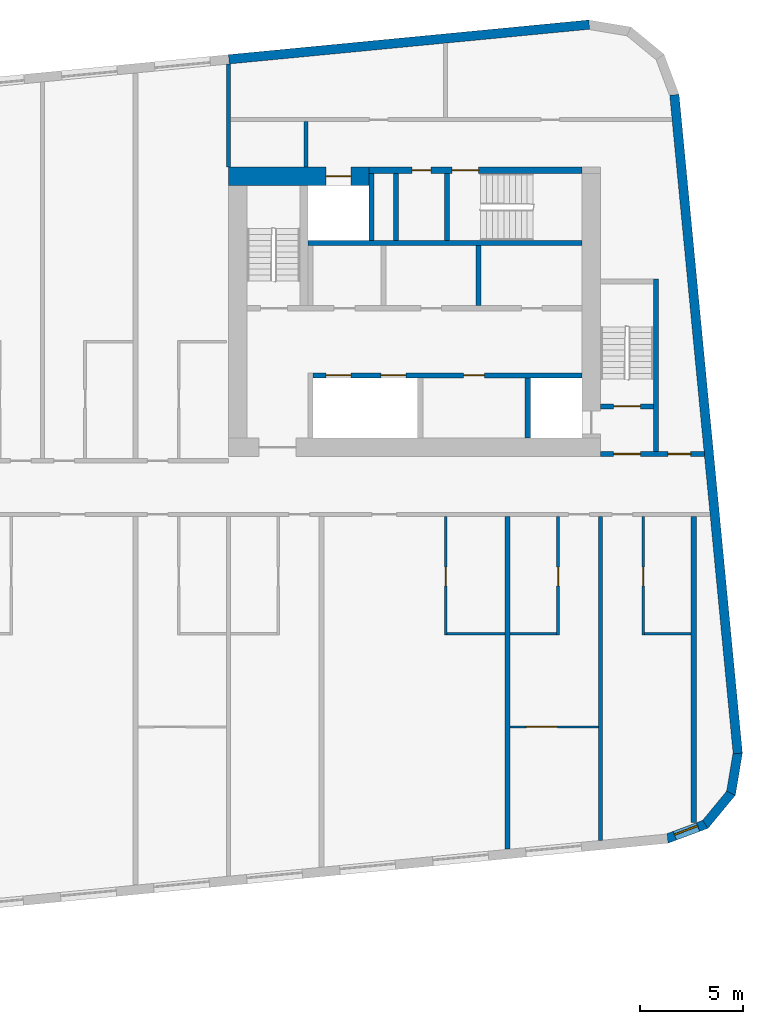
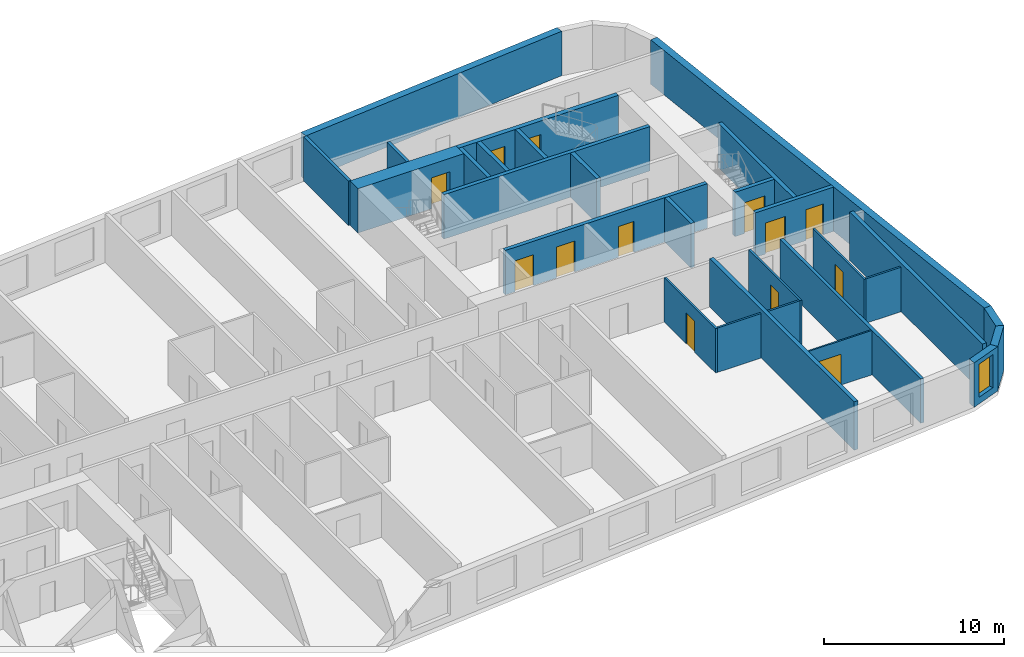
# One storey, part 7 of 12: 29 walls, 13 doors, 1 window, 14 openings.
"""IFC4 building model written with IfcOpenShell, lengths in metres."""

from ifc_helpers import new_model, si_unit, direction, frame, frame_2d, origin, place, context, subcontext, project, spatial, polyline, rectangle, outline, extrude, material, layer, layer_set, type_object, element, fill, save


model = new_model("IFC4")

# Units and contexts
model_context = context("Model", 3, precision=1e-05, world=origin(), true_north=direction((0.0, 1.0)))
body_context = subcontext(model_context, "Body", "Model", "MODEL_VIEW")
ifc_project = project(units=[si_unit("LENGTHUNIT", "METRE"), si_unit("AREAUNIT", "SQUARE_METRE"), si_unit("VOLUMEUNIT", "CUBIC_METRE"), si_unit("PLANEANGLEUNIT", "RADIAN"), si_unit("MASSUNIT", "GRAM", prefix="KILO")], contexts=[model_context])

# Site, building, storey
site_placement = place(None, origin())
site = spatial("IfcSite", under=ifc_project, at=site_placement, CompositionType="ELEMENT")
building_placement = place(site_placement, origin())
building = spatial("IfcBuilding", under=site, at=building_placement, Name="Kajstack Hotel Tower", CompositionType="ELEMENT")
storey_placement = place(building_placement, frame((0.0, 0.0, 294.89990234375)))
storey = spatial("IfcBuildingStorey", under=building, at=storey_placement, Name="L74", CompositionType="ELEMENT", Elevation=294.89990234375)

# Wall, opening, door
ifc_material_1 = material(Name="Concrete C60/75", Category="concrete")
ifc_layer_1 = layer(ifc_material_1, 0.89990234375)
ifc_layer_set_1 = layer_set([ifc_layer_1], Name="Core wall 900")
wall_type_1 = type_object("IfcWallType", Name="Core wall 900", PredefinedType="SHEAR", material=ifc_layer_set_1)
wall_1_placement = place(storey_placement, frame((13.5, 15.050048828125, 0.0), z_axis=(0.0, 0.0, 1.0), x_axis=(1.0, 0.0, 0.0)))
wall_1 = element("IfcWall", 1, at=wall_1_placement, inside=storey, type_object=wall_type_1, Name="Core wall E RS", PredefinedType="SHEAR", context=body_context, shape_type="SweptSolid", body=[
    extrude(rectangle(XDim=6.800048828125, YDim=0.89990234375, at=frame_2d((3.39990234375, 0.0))), origin(), (0.0, 0.0, 1.0), 3.02001953125),
])
opening_1_placement = place(wall_1_placement, frame((4.72509765625, 0.0, 0.0)))
opening_1 = element("IfcOpeningElement", 2, at=opening_1_placement, cuts=wall_1, Name="Opening LD-SV2", PredefinedType="OPENING", context=body_context, shape_type="SweptSolid", body=[
    extrude(rectangle(XDim=1.199951171875, YDim=2.10009765625, at=frame_2d((0.60009765625, 1.050048828125))), frame((0.0, 0.4599609375, 0.0), z_axis=(0.0, -1.0, 0.0), x_axis=(1.0, 0.0, 0.0)), (0.0, 0.0, 1.0), 0.919921875),
])
ifc_material_2 = material(Name="Stainless steel", Category="steel")
door_type_1 = type_object("IfcDoorType", Name="Lift landing door 1200", OperationType="SLIDING_TO_LEFT", PredefinedType="DOOR", material=ifc_material_2)
door_1_placement = place(opening_1_placement, origin())
door_1 = element("IfcDoor", 3, at=door_1_placement, inside=storey, type_object=door_type_1, Name="Landing door SV2", OperationType="SLIDING_TO_LEFT", OverallHeight=2.10009765625, OverallWidth=1.199951171875, PredefinedType="DOOR", context=body_context, shape_type="SweptSolid", body=[
    extrude(rectangle(XDim=1.199951171875, YDim=2.10009765625, at=frame_2d((0.60009765625, 1.050048828125))), frame((0.0, 0.02490234375, 0.0), z_axis=(0.0, -1.0, 0.0), x_axis=(1.0, 0.0, 0.0)), (0.0, 0.0, 1.0), 0.050048828125),
])
fill(opening_1, door_1)

# Walls
ifc_material_3 = material(Name="Twin-frame gypsum board on steel studs, mineral wool", Category="steel")
ifc_layer_2 = layer(ifc_material_3, 0.199951171875)
ifc_layer_set_2 = layer_set([ifc_layer_2], Name="Demising wall 200")
wall_type_2 = type_object("IfcWallType", Name="Demising wall 200", PredefinedType="PARTITIONING", material=ifc_layer_set_2)
wall_2_placement = place(storey_placement, frame((13.5, 15.5, 0.0), z_axis=(0.0, 0.0, 1.0), x_axis=(0.0, 1.0, 0.0)))
element("IfcWall", 4, at=wall_2_placement, inside=storey, type_object=wall_type_2, Name="G-wall-L74-001", PredefinedType="PARTITIONING", context=body_context, shape_type="SweptSolid", body=[
    extrude(rectangle(XDim=4.985107421875, YDim=0.199951171875, at=frame_2d((2.49267578125, 0.0))), origin(), (0.0, 0.0, 1.0), 3.02001953125),
])
wall_3_placement = place(storey_placement, frame((31.5, -17.06298828125, 0.0), z_axis=(0.0, 0.0, 1.0), x_axis=(0.0, 1.0, 0.0)))
element("IfcWall", 5, at=wall_3_placement, inside=storey, type_object=wall_type_2, Name="G-wall-L74-049", PredefinedType="PARTITIONING", context=body_context, shape_type="SweptSolid", body=[
    extrude(rectangle(XDim=15.6630859375, YDim=0.199951171875, at=frame_2d((7.83154296875, 0.0))), origin(), (0.0, 0.0, 1.0), 3.02001953125),
])
ifc_material_4 = material(Name="Concrete C40/50", Category="concrete")
ifc_layer_3 = layer(ifc_material_4, 0.449951171875)
ifc_layer_set_3 = layer_set([ifc_layer_3], Name="EW-CORE")
wall_type_3 = type_object("IfcWallType", Name="EW-CORE", PredefinedType="SOLIDWALL", material=ifc_layer_set_3)
wall_4_placement = place(storey_placement, frame((30.94580078125, 22.390625, 0.0), z_axis=(0.0, 0.0, 1.0), x_axis=(-0.995396397117, -0.095843688398, 0.0)))
element("IfcWall", 6, at=wall_4_placement, inside=storey, type_object=wall_type_3, Name="E-wall-L74-12-00", PredefinedType="SOLIDWALL", context=body_context, shape_type="SweptSolid", body=[
    extrude(rectangle(XDim=17.5048828125, YDim=0.449951171875, at=frame_2d((8.75244140625, 0.0))), origin(), (0.0, 0.0, 1.0), 3.02001953125),
])

# Wall, opening, window
ifc_material_5 = material(Name="Terracotta-faced brick masonry", Category="masonry")
ifc_layer_4 = layer(ifc_material_5, 0.449951171875)
ifc_layer_set_4 = layer_set([ifc_layer_4], Name="EW-TERRA")
wall_type_4 = type_object("IfcWallType", Name="EW-TERRA", PredefinedType="SOLIDWALL", material=ifc_layer_set_4)
wall_5_placement = place(storey_placement, frame((34.67919921875, -16.990478515625, 0.0), z_axis=(0.0, 0.0, 1.0), x_axis=(0.936677599948, 0.350192909346, 0.0)))
wall_5 = element("IfcWall", 7, at=wall_5_placement, inside=storey, type_object=wall_type_4, Name="E-wall-L74-05-00", PredefinedType="SOLIDWALL", context=body_context, shape_type="SweptSolid", body=[
    extrude(outline(polyline([(0.0, -0.22509765625), (2.070556640625, -0.22509765625), (1.949951171875, 0.22509765625), (0.12060546875, 0.22509765625), (0.0, -0.22509765625)])), origin(), (0.0, 0.0, 1.0), 3.02001953125),
])
opening_2_placement = place(wall_5_placement, frame((0.435302734375, 0.0, 0.449951171875)))
opening_2 = element("IfcOpeningElement", 8, at=opening_2_placement, cuts=wall_5, Name="Opening W3", PredefinedType="OPENING", context=body_context, shape_type="SweptSolid", body=[
    extrude(rectangle(XDim=1.199951171875, YDim=2.25, at=frame_2d((0.60009765625, 1.125))), frame((0.0, 0.23486328125, 0.0), z_axis=(0.0, -1.0, 0.0), x_axis=(1.0, 0.0, 0.0)), (0.0, 0.0, 1.0), 0.469970703125),
])
ifc_material_6 = material(Name="Timber-aluminium window, triple glazed", Category="wood")
window_type = type_object("IfcWindowType", Name="WG3", PartitioningType="SINGLE_PANEL", PredefinedType="WINDOW", material=ifc_material_6)
window_placement = place(opening_2_placement, origin())
window = element("IfcWindow", 9, at=window_placement, inside=storey, type_object=window_type, Name="Window W3 L74-05", OverallHeight=2.25, OverallWidth=1.199951171875, PartitioningType="SINGLE_PANEL", PredefinedType="WINDOW", context=body_context, shape_type="SweptSolid", body=[
    extrude(rectangle(XDim=1.199951171875, YDim=2.25, at=frame_2d((0.60009765625, 1.125))), frame((0.0, 0.090087890625, 0.0), z_axis=(0.0, -1.0, 0.0), x_axis=(1.0, 0.0, 0.0)), (0.0, 0.0, 1.0), 0.06005859375),
])
fill(opening_2, window)

# Walls
wall_6_placement = place(storey_placement, frame((36.52392578125, -16.3330078125, 0.0), z_axis=(0.0, 0.0, 1.0), x_axis=(0.636046112757, 0.771651049663, 0.0)))
element("IfcWall", 10, at=wall_6_placement, inside=storey, type_object=wall_type_4, Name="E-wall-L74-06-00", PredefinedType="SOLIDWALL", context=body_context, shape_type="SweptSolid", body=[
    extrude(outline(polyline([(0.0, -0.224853515625), (2.070556640625, -0.22509765625), (1.949951171875, 0.22509765625), (0.12060546875, 0.22509765625), (0.0, -0.224853515625)])), origin(), (0.0, 0.0, 1.0), 3.02001953125),
])
wall_7_placement = place(storey_placement, frame((37.79248046875, -14.84130859375, 0.0), z_axis=(0.0, 0.0, 1.0), x_axis=(0.165068144653, 0.986282164302, 0.0)))
element("IfcWall", 11, at=wall_7_placement, inside=storey, type_object=wall_type_4, Name="E-wall-L74-07-00", PredefinedType="SOLIDWALL", context=body_context, shape_type="SweptSolid", body=[
    extrude(outline(polyline([(0.0, -0.22509765625), (2.070556640625, -0.22509765625), (1.949951171875, 0.224853515625), (0.12060546875, 0.224853515625), (0.0, -0.22509765625)])), origin(), (0.0, 0.0, 1.0), 3.02001953125),
])
wall_8_placement = place(storey_placement, frame((38.13232421875, -12.85791015625, 0.0), z_axis=(0.0, 0.0, 1.0), x_axis=(-0.095847749461, 0.995396006082, 0.0)))
element("IfcWall", 12, at=wall_8_placement, inside=storey, type_object=wall_type_4, Name="E-wall-L74-08-00", PredefinedType="SOLIDWALL", context=body_context, shape_type="SweptSolid", body=[
    extrude(rectangle(XDim=32.0, YDim=0.449951171875, at=frame_2d((16.0, 0.0))), origin(), (0.0, 0.0, 1.0), 3.02001953125),
])

# Wall, opening, door
ifc_material_7 = material(Name="Gypsum board and tiled backer on steel studs", Category="steel")
ifc_layer_5 = layer(ifc_material_7, 0.125)
ifc_layer_set_5 = layer_set([ifc_layer_5], Name="En-suite wall 125")
wall_type_5 = type_object("IfcWallType", Name="En-suite wall 125", PredefinedType="PARTITIONING", material=ifc_layer_set_5)
wall_9_placement = place(storey_placement, frame((24.011962890625, -7.125, 0.0), z_axis=(0.0, 0.0, 1.0), x_axis=(0.0, 1.0, 0.0)))
wall_9 = element("IfcWall", 13, at=wall_9_placement, inside=storey, type_object=wall_type_5, Name="G-wall-L74-047", PredefinedType="PARTITIONING", context=body_context, shape_type="SweptSolid", body=[
    extrude(rectangle(XDim=5.72509765625, YDim=0.125, at=frame_2d((2.862548828125, 0.0))), origin(), (0.0, 0.0, 1.0), 3.02001953125),
])
opening_3_placement = place(wall_9_placement, frame((2.375, 0.0, 0.0)))
opening_3 = element("IfcOpeningElement", 14, at=opening_3_placement, cuts=wall_9, Name="Opening 74039", PredefinedType="OPENING", context=body_context, shape_type="SweptSolid", body=[
    extrude(rectangle(XDim=0.89990234375, YDim=2.10009765625, at=frame_2d((0.449951171875, 1.050048828125))), frame((0.0, 0.072509765625, 0.0), z_axis=(0.0, -1.0, 0.0), x_axis=(1.0, 0.0, 0.0)), (0.0, 0.0, 1.0), 0.14501953125),
])
ifc_material_8 = material(Name="Painted timber door leaf", Category="wood")
door_type_2 = type_object("IfcDoorType", Name="Room door 900", OperationType="SINGLE_SWING_LEFT", PredefinedType="DOOR", material=ifc_material_8)
door_2_placement = place(opening_3_placement, origin())
door_2 = element("IfcDoor", 15, at=door_2_placement, inside=storey, type_object=door_type_2, Name="G-door-L74-39", OperationType="SINGLE_SWING_LEFT", OverallHeight=2.10009765625, OverallWidth=0.89990234375, PredefinedType="DOOR", context=body_context, shape_type="SweptSolid", body=[
    extrude(rectangle(XDim=0.89990234375, YDim=2.10009765625, at=frame_2d((0.449951171875, 1.050048828125))), frame((0.0, 0.02490234375, 0.0), z_axis=(0.0, -1.0, 0.0), x_axis=(1.0, 0.0, 0.0)), (0.0, 0.0, 1.0), 0.050048828125),
])
fill(opening_3, door_2)

# Wall
wall_10_placement = place(storey_placement, frame((24.074951171875, -7.06201171875, 0.0), z_axis=(0.0, 0.0, 1.0), x_axis=(1.0, 0.0, 0.0)))
element("IfcWall", 16, at=wall_10_placement, inside=storey, type_object=wall_type_5, Name="G-wall-L74-048", PredefinedType="PARTITIONING", context=body_context, shape_type="SweptSolid", body=[
    extrude(rectangle(XDim=2.800048828125, YDim=0.125, at=frame_2d((1.39990234375, 0.0))), origin(), (0.0, 0.0, 1.0), 3.02001953125),
])

# Wall, opening, door
wall_11_placement = place(storey_placement, frame((29.43798828125, -7.125, 0.0), z_axis=(0.0, 0.0, 1.0), x_axis=(0.0, 1.0, 0.0)))
wall_11 = element("IfcWall", 17, at=wall_11_placement, inside=storey, type_object=wall_type_5, Name="G-wall-L74-050", PredefinedType="PARTITIONING", context=body_context, shape_type="SweptSolid", body=[
    extrude(rectangle(XDim=5.72509765625, YDim=0.125, at=frame_2d((2.862548828125, 0.0))), origin(), (0.0, 0.0, 1.0), 3.02001953125),
])
opening_4_placement = place(wall_11_placement, frame((2.375, 0.0, 0.0)))
opening_4 = element("IfcOpeningElement", 18, at=opening_4_placement, cuts=wall_11, Name="Opening 74041", PredefinedType="OPENING", context=body_context, shape_type="SweptSolid", body=[
    extrude(rectangle(XDim=0.89990234375, YDim=2.10009765625, at=frame_2d((0.449951171875, 1.050048828125))), frame((0.0, 0.072509765625, 0.0), z_axis=(0.0, -1.0, 0.0), x_axis=(1.0, 0.0, 0.0)), (0.0, 0.0, 1.0), 0.14501953125),
])
door_3_placement = place(opening_4_placement, origin())
door_3 = element("IfcDoor", 19, at=door_3_placement, inside=storey, type_object=door_type_2, Name="G-door-L74-41", OperationType="SINGLE_SWING_LEFT", OverallHeight=2.10009765625, OverallWidth=0.89990234375, PredefinedType="DOOR", context=body_context, shape_type="SweptSolid", body=[
    extrude(rectangle(XDim=0.89990234375, YDim=2.10009765625, at=frame_2d((0.449951171875, 1.050048828125))), frame((0.0, 0.02490234375, 0.0), z_axis=(0.0, -1.0, 0.0), x_axis=(1.0, 0.0, 0.0)), (0.0, 0.0, 1.0), 0.050048828125),
])
fill(opening_4, door_3)

# Wall
wall_12_placement = place(storey_placement, frame((27.125, -7.06201171875, 0.0), z_axis=(0.0, 0.0, 1.0), x_axis=(1.0, 0.0, 0.0)))
element("IfcWall", 20, at=wall_12_placement, inside=storey, type_object=wall_type_5, Name="G-wall-L74-051", PredefinedType="PARTITIONING", context=body_context, shape_type="SweptSolid", body=[
    extrude(rectangle(XDim=2.25, YDim=0.125, at=frame_2d((1.125, 0.0))), origin(), (0.0, 0.0, 1.0), 3.02001953125),
])

# Wall, opening, door
wall_13_placement = place(storey_placement, frame((33.56201171875, -7.125, 0.0), z_axis=(0.0, 0.0, 1.0), x_axis=(0.0, 1.0, 0.0)))
wall_13 = element("IfcWall", 21, at=wall_13_placement, inside=storey, type_object=wall_type_5, Name="G-wall-L74-053", PredefinedType="PARTITIONING", context=body_context, shape_type="SweptSolid", body=[
    extrude(rectangle(XDim=5.72509765625, YDim=0.125, at=frame_2d((2.862548828125, 0.0))), origin(), (0.0, 0.0, 1.0), 3.02001953125),
])
opening_5_placement = place(wall_13_placement, frame((2.375, 0.0, 0.0)))
opening_5 = element("IfcOpeningElement", 22, at=opening_5_placement, cuts=wall_13, Name="Opening 74044", PredefinedType="OPENING", context=body_context, shape_type="SweptSolid", body=[
    extrude(rectangle(XDim=0.89990234375, YDim=2.10009765625, at=frame_2d((0.449951171875, 1.050048828125))), frame((0.0, 0.072509765625, 0.0), z_axis=(0.0, -1.0, 0.0), x_axis=(1.0, 0.0, 0.0)), (0.0, 0.0, 1.0), 0.14501953125),
])
door_4_placement = place(opening_5_placement, origin())
door_4 = element("IfcDoor", 23, at=door_4_placement, inside=storey, type_object=door_type_2, Name="G-door-L74-44", OperationType="SINGLE_SWING_RIGHT", OverallHeight=2.10009765625, OverallWidth=0.89990234375, PredefinedType="DOOR", context=body_context, shape_type="SweptSolid", body=[
    extrude(rectangle(XDim=0.89990234375, YDim=2.10009765625, at=frame_2d((0.449951171875, 1.050048828125))), frame((0.0, 0.02490234375, 0.0), z_axis=(0.0, -1.0, 0.0), x_axis=(1.0, 0.0, 0.0)), (0.0, 0.0, 1.0), 0.050048828125),
])
fill(opening_5, door_4)

# Wall
wall_14_placement = place(storey_placement, frame((33.625, -7.06201171875, 0.0), z_axis=(0.0, 0.0, 1.0), x_axis=(1.0, 0.0, 0.0)))
element("IfcWall", 24, at=wall_14_placement, inside=storey, type_object=wall_type_5, Name="G-wall-L74-054", PredefinedType="PARTITIONING", context=body_context, shape_type="SweptSolid", body=[
    extrude(rectangle(XDim=2.25, YDim=0.125, at=frame_2d((1.125, 0.0))), origin(), (0.0, 0.0, 1.0), 3.02001953125),
])

# Wall, opening, door
ifc_material_9 = material(Name="Gypsum board on steel studs", Category="steel")
ifc_layer_6 = layer(ifc_material_9, 0.10009765625)
ifc_layer_set_6 = layer_set([ifc_layer_6], Name="Partition 100")
wall_type_6 = type_object("IfcWallType", Name="Partition 100", PredefinedType="PARTITIONING", material=ifc_layer_set_6)
wall_15_placement = place(storey_placement, frame((27.125, -11.574951171875, 0.0), z_axis=(0.0, 0.0, 1.0), x_axis=(1.0, 0.0, 0.0)))
wall_15 = element("IfcWall", 25, at=wall_15_placement, inside=storey, type_object=wall_type_6, Name="G-wall-L74-052", PredefinedType="PARTITIONING", context=body_context, shape_type="SweptSolid", body=[
    extrude(rectangle(XDim=4.27490234375, YDim=0.10009765625, at=frame_2d((2.137451171875, 0.0))), origin(), (0.0, 0.0, 1.0), 3.02001953125),
])
opening_6_placement = place(wall_15_placement, frame((0.787109375, 0.0, 0.0)))
opening_6 = element("IfcOpeningElement", 26, at=opening_6_placement, cuts=wall_15, Name="Opening 74042", PredefinedType="OPENING", context=body_context, shape_type="SweptSolid", body=[
    extrude(rectangle(XDim=1.5, YDim=2.10009765625, at=frame_2d((0.75, 1.050048828125))), frame((0.0, 0.06005859375, 0.0), z_axis=(0.0, -1.0, 0.0), x_axis=(1.0, 0.0, 0.0)), (0.0, 0.0, 1.0), 0.1201171875),
])
ifc_material_10 = material(Name="Painted timber door leaves, glazed panels", Category="wood")
door_type_3 = type_object("IfcDoorType", Name="Double door 1500", OperationType="SINGLE_SWING_LEFT", PredefinedType="DOOR", material=ifc_material_10)
door_5_placement = place(opening_6_placement, origin())
door_5 = element("IfcDoor", 27, at=door_5_placement, inside=storey, type_object=door_type_3, Name="G-door-L74-42", OperationType="SINGLE_SWING_RIGHT", OverallHeight=2.10009765625, OverallWidth=1.5, PredefinedType="DOOR", context=body_context, shape_type="SweptSolid", body=[
    extrude(rectangle(XDim=1.5, YDim=2.10009765625, at=frame_2d((0.75, 1.050048828125))), frame((0.0, 0.02490234375, 0.0), z_axis=(0.0, -1.0, 0.0), x_axis=(1.0, 0.0, 0.0)), (0.0, 0.0, 1.0), 0.050048828125),
])
fill(opening_6, door_5)

# Walls
ifc_layer_7 = layer(ifc_material_4, 0.25)
ifc_layer_set_7 = layer_set([ifc_layer_7], Name="RC cross wall 250 C40/50")
wall_type_7 = type_object("IfcWallType", Name="RC cross wall 250 C40/50", PredefinedType="SHEAR", material=ifc_layer_set_7)
wall_16_placement = place(storey_placement, frame((27.0, -17.47412109375, 0.0), z_axis=(0.0, 0.0, 1.0), x_axis=(0.0, 1.0, 0.0)))
element("IfcWall", 28, at=wall_16_placement, inside=storey, type_object=wall_type_7, Name="S-wall-L74-11", PredefinedType="SHEAR", context=body_context, shape_type="SweptSolid", body=[
    extrude(rectangle(XDim=16.07421875, YDim=0.25, at=frame_2d((8.037109375, 0.0))), origin(), (0.0, 0.0, 1.0), 3.300048828125),
])
wall_17_placement = place(storey_placement, frame((36.0, -16.198974609375, 0.0), z_axis=(0.0, 0.0, 1.0), x_axis=(0.0, 1.0, 0.0)))
element("IfcWall", 29, at=wall_17_placement, inside=storey, type_object=wall_type_7, Name="S-wall-L74-12", PredefinedType="SHEAR", context=body_context, shape_type="SweptSolid", body=[
    extrude(rectangle(XDim=14.799072265625, YDim=0.25, at=frame_2d((7.3994140625, 0.0))), origin(), (0.0, 0.0, 1.0), 3.300048828125),
])
ifc_material_11 = material(Name="Concrete block masonry", Category="masonry")
ifc_layer_8 = layer(ifc_material_11, 0.25)
ifc_layer_set_8 = layer_set([ifc_layer_8], Name="Riser partition 250")
wall_type_8 = type_object("IfcWallType", Name="Riser partition 250", PredefinedType="PARTITIONING", material=ifc_layer_set_8)
wall_18_placement = place(storey_placement, frame((25.60009765625, 8.800048828125, 0.0), z_axis=(0.0, 0.0, 1.0), x_axis=(0.0, 1.0, 0.0)))
element("IfcWall", 30, at=wall_18_placement, inside=storey, type_object=wall_type_8, Name="Partition E BF0", PredefinedType="PARTITIONING", context=body_context, shape_type="SweptSolid", body=[
    extrude(rectangle(XDim=2.89990234375, YDim=0.25, at=frame_2d((1.449951171875, 0.0))), origin(), (0.0, 0.0, 1.0), 3.02001953125),
])
wall_19_placement = place(storey_placement, frame((21.60009765625, 11.949951171875, 0.0), z_axis=(0.0, 0.0, 1.0), x_axis=(0.0, 1.0, 0.0)))
element("IfcWall", 31, at=wall_19_placement, inside=storey, type_object=wall_type_8, Name="Partition E SZ0", PredefinedType="PARTITIONING", context=body_context, shape_type="SweptSolid", body=[
    extrude(rectangle(XDim=3.25, YDim=0.25, at=frame_2d((1.625, 0.0))), origin(), (0.0, 0.0, 1.0), 3.02001953125),
])

# Wall, openings, doors
ifc_material_12 = material(Name="Gypsum board on steel studs, mineral wool", Category="steel")
ifc_layer_9 = layer(ifc_material_12, 0.199951171875)
ifc_layer_set_9 = layer_set([ifc_layer_9], Name="Service partition 200")
wall_type_9 = type_object("IfcWallType", Name="Service partition 200", PredefinedType="PARTITIONING", material=ifc_layer_set_9)
wall_20_placement = place(storey_placement, frame((31.5, 1.625, 0.0), z_axis=(0.0, 0.0, 1.0), x_axis=(1.0, 0.0, 0.0)))
wall_20 = element("IfcWall", 32, at=wall_20_placement, inside=storey, type_object=wall_type_9, Name="Partition E SN", PredefinedType="PARTITIONING", context=body_context, shape_type="SweptSolid", body=[
    extrude(rectangle(XDim=5.01171875, YDim=0.25, at=frame_2d((2.505859375, 0.0))), origin(), (0.0, 0.0, 1.0), 3.02001953125),
])
opening_7_placement = place(wall_20_placement, frame((0.625, 0.0, 0.0)))
opening_7 = element("IfcOpeningElement", 33, at=opening_7_placement, cuts=wall_20, Name="Opening 74E06", PredefinedType="OPENING", context=body_context, shape_type="SweptSolid", body=[
    extrude(rectangle(XDim=1.300048828125, YDim=2.10009765625, at=frame_2d((0.64990234375, 1.050048828125))), frame((0.0, 0.135009765625, 0.0), z_axis=(0.0, -1.0, 0.0), x_axis=(1.0, 0.0, 0.0)), (0.0, 0.0, 1.0), 0.27001953125),
])
opening_8_placement = place(wall_20_placement, frame((3.25, 0.0, 0.0)))
opening_8 = element("IfcOpeningElement", 34, at=opening_8_placement, cuts=wall_20, Name="Opening 74E08", PredefinedType="OPENING", context=body_context, shape_type="SweptSolid", body=[
    extrude(rectangle(XDim=1.10009765625, YDim=2.10009765625, at=frame_2d((0.550048828125, 1.050048828125))), frame((0.0, 0.135009765625, 0.0), z_axis=(0.0, -1.0, 0.0), x_axis=(1.0, 0.0, 0.0)), (0.0, 0.0, 1.0), 0.27001953125),
])
ifc_material_13 = material(Name="Steel leaf, fire-rated", Category="steel")
door_type_4 = type_object("IfcDoorType", Name="Fire lobby door 1300", OperationType="SINGLE_SWING_LEFT", PredefinedType="DOOR", material=ifc_material_13)
door_6_placement = place(opening_7_placement, origin())
door_6 = element("IfcDoor", 35, at=door_6_placement, inside=storey, type_object=door_type_4, Name="Door 74E06", OperationType="SINGLE_SWING_LEFT", OverallHeight=2.10009765625, OverallWidth=1.300048828125, PredefinedType="DOOR", context=body_context, shape_type="SweptSolid", body=[
    extrude(rectangle(XDim=1.300048828125, YDim=2.10009765625, at=frame_2d((0.64990234375, 1.050048828125))), frame((0.0, 0.02490234375, 0.0), z_axis=(0.0, -1.0, 0.0), x_axis=(1.0, 0.0, 0.0)), (0.0, 0.0, 1.0), 0.050048828125),
])
fill(opening_7, door_6)
ifc_material_14 = material(Name="Timber leaf, fire-rated", Category="wood")
door_type_5 = type_object("IfcDoorType", Name="Service corridor door 1100", OperationType="SINGLE_SWING_LEFT", PredefinedType="DOOR", material=ifc_material_14)
door_7_placement = place(opening_8_placement, origin())
door_7 = element("IfcDoor", 36, at=door_7_placement, inside=storey, type_object=door_type_5, Name="Door 74E08", OperationType="SINGLE_SWING_LEFT", OverallHeight=2.10009765625, OverallWidth=1.10009765625, PredefinedType="DOOR", context=body_context, shape_type="SweptSolid", body=[
    extrude(rectangle(XDim=1.10009765625, YDim=2.10009765625, at=frame_2d((0.550048828125, 1.050048828125))), frame((0.0, 0.02490234375, 0.0), z_axis=(0.0, -1.0, 0.0), x_axis=(1.0, 0.0, 0.0)), (0.0, 0.0, 1.0), 0.050048828125),
])
fill(opening_8, door_7)

# Wall
wall_21_placement = place(storey_placement, frame((17.25, 15.5, 0.0), z_axis=(0.0, 0.0, 1.0), x_axis=(0.0, 1.0, 0.0)))
element("IfcWall", 37, at=wall_21_placement, inside=storey, type_object=wall_type_9, Name="Partition E SCE", PredefinedType="PARTITIONING", context=body_context, shape_type="SweptSolid", body=[
    extrude(rectangle(XDim=2.199951171875, YDim=0.199951171875, at=frame_2d((1.10009765625, 0.0))), origin(), (0.0, 0.0, 1.0), 3.02001953125),
])

# Wall, openings, doors
ifc_material_15 = material(Name="Concrete C50/60", Category="concrete")
ifc_layer_10 = layer(ifc_material_15, 0.25)
ifc_layer_set_10 = layer_set([ifc_layer_10], Name="Shaft wall 250")
wall_type_10 = type_object("IfcWallType", Name="Shaft wall 250", PredefinedType="SHEAR", material=ifc_layer_set_10)
wall_22_placement = place(storey_placement, frame((20.300048828125, 15.35009765625, 0.0), z_axis=(0.0, 0.0, 1.0), x_axis=(1.0, 0.0, 0.0)))
wall_22 = element("IfcWall", 38, at=wall_22_placement, inside=storey, type_object=wall_type_10, Name="Core wall E RSS", PredefinedType="SHEAR", context=body_context, shape_type="SweptSolid", body=[
    extrude(rectangle(XDim=10.300048828125, YDim=0.300048828125, at=frame_2d((5.14990234375, 0.0))), origin(), (0.0, 0.0, 1.0), 3.02001953125),
])
opening_9_placement = place(wall_22_placement, frame((4.0, 0.0, 0.0)))
opening_9 = element("IfcOpeningElement", 39, at=opening_9_placement, cuts=wall_22, Name="Opening 74E10", PredefinedType="OPENING", context=body_context, shape_type="SweptSolid", body=[
    extrude(rectangle(XDim=1.300048828125, YDim=2.10009765625, at=frame_2d((0.64990234375, 1.050048828125))), frame((0.0, 0.159912109375, 0.0), z_axis=(0.0, -1.0, 0.0), x_axis=(1.0, 0.0, 0.0)), (0.0, 0.0, 1.0), 0.320068359375),
])
opening_10_placement = place(wall_22_placement, frame((2.08740234375, 0.0, 0.0)))
opening_10 = element("IfcOpeningElement", 40, at=opening_10_placement, cuts=wall_22, Name="Opening 74E11", PredefinedType="OPENING", context=body_context, shape_type="SweptSolid", body=[
    extrude(rectangle(XDim=0.89990234375, YDim=2.10009765625, at=frame_2d((0.449951171875, 1.050048828125))), frame((0.0, 0.159912109375, 0.0), z_axis=(0.0, -1.0, 0.0), x_axis=(1.0, 0.0, 0.0)), (0.0, 0.0, 1.0), 0.320068359375),
])
door_type_6 = type_object("IfcDoorType", Name="Service door 900", OperationType="SINGLE_SWING_LEFT", PredefinedType="DOOR", material=ifc_material_14)
door_8_placement = place(opening_10_placement, origin())
door_8 = element("IfcDoor", 41, at=door_8_placement, inside=storey, type_object=door_type_6, Name="Door 74E11", OperationType="SINGLE_SWING_RIGHT", OverallHeight=2.10009765625, OverallWidth=0.89990234375, PredefinedType="DOOR", context=body_context, shape_type="SweptSolid", body=[
    extrude(rectangle(XDim=0.89990234375, YDim=2.10009765625, at=frame_2d((0.449951171875, 1.050048828125))), frame((0.0, 0.02490234375, 0.0), z_axis=(0.0, -1.0, 0.0), x_axis=(1.0, 0.0, 0.0)), (0.0, 0.0, 1.0), 0.050048828125),
])
fill(opening_10, door_8)
door_type_7 = type_object("IfcDoorType", Name="Stair door 1300", OperationType="SINGLE_SWING_LEFT", PredefinedType="DOOR", material=ifc_material_13)
door_9_placement = place(opening_9_placement, origin())
door_9 = element("IfcDoor", 42, at=door_9_placement, inside=storey, type_object=door_type_7, Name="Door 74E10", OperationType="SINGLE_SWING_LEFT", OverallHeight=2.10009765625, OverallWidth=1.300048828125, PredefinedType="DOOR", context=body_context, shape_type="SweptSolid", body=[
    extrude(rectangle(XDim=1.300048828125, YDim=2.10009765625, at=frame_2d((0.64990234375, 1.050048828125))), frame((0.0, 0.02490234375, 0.0), z_axis=(0.0, -1.0, 0.0), x_axis=(1.0, 0.0, 0.0)), (0.0, 0.0, 1.0), 0.050048828125),
])
fill(opening_9, door_9)

wall_23_placement = place(storey_placement, frame((17.60009765625, 5.425048828125, 0.0), z_axis=(0.0, 0.0, 1.0), x_axis=(1.0, 0.0, 0.0)))
wall_23 = element("IfcWall", 43, at=wall_23_placement, inside=storey, type_object=wall_type_10, Name="Core wall E FA", PredefinedType="SHEAR", context=body_context, shape_type="SweptSolid", body=[
    extrude(rectangle(XDim=13.0, YDim=0.25, at=frame_2d((6.5, 0.0))), origin(), (0.0, 0.0, 1.0), 3.02001953125),
])
opening_11_placement = place(wall_23_placement, frame((3.27490234375, 0.0, 0.0)))
opening_11 = element("IfcOpeningElement", 44, at=opening_11_placement, cuts=wall_23, Name="Opening LD-HR3", PredefinedType="OPENING", context=body_context, shape_type="SweptSolid", body=[
    extrude(rectangle(XDim=1.199951171875, YDim=2.10009765625, at=frame_2d((0.60009765625, 1.050048828125))), frame((0.0, 0.135009765625, 0.0), z_axis=(0.0, -1.0, 0.0), x_axis=(1.0, 0.0, 0.0)), (0.0, 0.0, 1.0), 0.27001953125),
])
opening_12_placement = place(wall_23_placement, frame((0.625, 0.0, 0.0)))
opening_12 = element("IfcOpeningElement", 45, at=opening_12_placement, cuts=wall_23, Name="Opening LD-HR4", PredefinedType="OPENING", context=body_context, shape_type="SweptSolid", body=[
    extrude(rectangle(XDim=1.199951171875, YDim=2.10009765625, at=frame_2d((0.60009765625, 1.050048828125))), frame((0.0, 0.135009765625, 0.0), z_axis=(0.0, -1.0, 0.0), x_axis=(1.0, 0.0, 0.0)), (0.0, 0.0, 1.0), 0.27001953125),
])
opening_13_placement = place(wall_23_placement, frame((7.27490234375, 0.0, 0.0)))
opening_13 = element("IfcOpeningElement", 46, at=opening_13_placement, cuts=wall_23, Name="Opening 74E15", PredefinedType="OPENING", context=body_context, shape_type="SweptSolid", body=[
    extrude(rectangle(XDim=1.0, YDim=2.10009765625, at=frame_2d((0.5, 1.050048828125))), frame((0.0, 0.135009765625, 0.0), z_axis=(0.0, -1.0, 0.0), x_axis=(1.0, 0.0, 0.0)), (0.0, 0.0, 1.0), 0.27001953125),
])
door_10_placement = place(opening_11_placement, origin())
door_10 = element("IfcDoor", 47, at=door_10_placement, inside=storey, type_object=door_type_1, Name="Landing door HR3", OperationType="SLIDING_TO_RIGHT", OverallHeight=2.10009765625, OverallWidth=1.199951171875, PredefinedType="DOOR", context=body_context, shape_type="SweptSolid", body=[
    extrude(rectangle(XDim=1.199951171875, YDim=2.10009765625, at=frame_2d((0.60009765625, 1.050048828125))), frame((0.0, 0.02490234375, 0.0), z_axis=(0.0, -1.0, 0.0), x_axis=(1.0, 0.0, 0.0)), (0.0, 0.0, 1.0), 0.050048828125),
])
fill(opening_11, door_10)
door_11_placement = place(opening_12_placement, origin())
door_11 = element("IfcDoor", 48, at=door_11_placement, inside=storey, type_object=door_type_1, Name="Landing door HR4", OperationType="SLIDING_TO_LEFT", OverallHeight=2.10009765625, OverallWidth=1.199951171875, PredefinedType="DOOR", context=body_context, shape_type="SweptSolid", body=[
    extrude(rectangle(XDim=1.199951171875, YDim=2.10009765625, at=frame_2d((0.60009765625, 1.050048828125))), frame((0.0, 0.02490234375, 0.0), z_axis=(0.0, -1.0, 0.0), x_axis=(1.0, 0.0, 0.0)), (0.0, 0.0, 1.0), 0.050048828125),
])
fill(opening_12, door_11)
door_type_8 = type_object("IfcDoorType", Name="Service room door 1000", OperationType="SINGLE_SWING_LEFT", PredefinedType="DOOR", material=ifc_material_14)
door_12_placement = place(opening_13_placement, origin())
door_12 = element("IfcDoor", 49, at=door_12_placement, inside=storey, type_object=door_type_8, Name="Door 74E15", OperationType="SINGLE_SWING_LEFT", OverallHeight=2.10009765625, OverallWidth=1.0, PredefinedType="DOOR", context=body_context, shape_type="SweptSolid", body=[
    extrude(rectangle(XDim=1.0, YDim=2.10009765625, at=frame_2d((0.5, 1.050048828125))), frame((0.0, 0.02490234375, 0.0), z_axis=(0.0, -1.0, 0.0), x_axis=(1.0, 0.0, 0.0)), (0.0, 0.0, 1.0), 0.050048828125),
])
fill(opening_13, door_12)

# Walls
wall_24_placement = place(storey_placement, frame((27.97509765625, 2.39990234375, 0.0), z_axis=(0.0, 0.0, 1.0), x_axis=(0.0, 1.0, 0.0)))
element("IfcWall", 50, at=wall_24_placement, inside=storey, type_object=wall_type_10, Name="Core wall E AP0", PredefinedType="SHEAR", context=body_context, shape_type="SweptSolid", body=[
    extrude(rectangle(XDim=2.900146484375, YDim=0.25, at=frame_2d((1.4501953125, 0.0))), origin(), (0.0, 0.0, 1.0), 3.02001953125),
])
wall_25_placement = place(storey_placement, frame((17.35009765625, 11.824951171875, 0.0), z_axis=(0.0, 0.0, 1.0), x_axis=(1.0, 0.0, 0.0)))
element("IfcWall", 51, at=wall_25_placement, inside=storey, type_object=wall_type_10, Name="Core wall E RB", PredefinedType="SHEAR", context=body_context, shape_type="SweptSolid", body=[
    extrude(rectangle(XDim=13.25, YDim=0.25, at=frame_2d((6.625, 0.0))), origin(), (0.0, 0.0, 1.0), 3.02001953125),
])
wall_26_placement = place(storey_placement, frame((20.425048828125, 11.949951171875, 0.0), z_axis=(0.0, 0.0, 1.0), x_axis=(0.0, 1.0, 0.0)))
element("IfcWall", 52, at=wall_26_placement, inside=storey, type_object=wall_type_10, Name="Core wall E SVW", PredefinedType="SHEAR", context=body_context, shape_type="SweptSolid", body=[
    extrude(rectangle(XDim=3.25, YDim=0.25, at=frame_2d((1.625, 0.0))), origin(), (0.0, 0.0, 1.0), 3.02001953125),
])

# Wall, opening, door
ifc_layer_11 = layer(ifc_material_4, 0.25)
ifc_layer_set_11 = layer_set([ifc_layer_11], Name="Stair enclosure wall 250")
wall_type_11 = type_object("IfcWallType", Name="Stair enclosure wall 250", PredefinedType="SHEAR", material=ifc_layer_set_11)
wall_27_placement = place(storey_placement, frame((31.5, 3.925048828125, 0.0), z_axis=(0.0, 0.0, 1.0), x_axis=(1.0, 0.0, 0.0)))
wall_27 = element("IfcWall", 53, at=wall_27_placement, inside=storey, type_object=wall_type_11, Name="Core wall E W1N", PredefinedType="SHEAR", context=body_context, shape_type="SweptSolid", body=[
    extrude(rectangle(XDim=2.550048828125, YDim=0.25, at=frame_2d((1.27490234375, 0.0))), origin(), (0.0, 0.0, 1.0), 3.02001953125),
])
opening_14_placement = place(wall_27_placement, frame((0.625, 0.0, 0.0)))
opening_14 = element("IfcOpeningElement", 54, at=opening_14_placement, cuts=wall_27, Name="Opening 74E07", PredefinedType="OPENING", context=body_context, shape_type="SweptSolid", body=[
    extrude(rectangle(XDim=1.300048828125, YDim=2.10009765625, at=frame_2d((0.64990234375, 1.050048828125))), frame((0.0, 0.135009765625, 0.0), z_axis=(0.0, -1.0, 0.0), x_axis=(1.0, 0.0, 0.0)), (0.0, 0.0, 1.0), 0.27001953125),
])
door_13_placement = place(opening_14_placement, origin())
door_13 = element("IfcDoor", 55, at=door_13_placement, inside=storey, type_object=door_type_7, Name="Door 74E07", OperationType="SINGLE_SWING_LEFT", OverallHeight=2.10009765625, OverallWidth=1.300048828125, PredefinedType="DOOR", context=body_context, shape_type="SweptSolid", body=[
    extrude(rectangle(XDim=1.300048828125, YDim=2.10009765625, at=frame_2d((0.64990234375, 1.050048828125))), frame((0.0, 0.02490234375, 0.0), z_axis=(0.0, -1.0, 0.0), x_axis=(1.0, 0.0, 0.0)), (0.0, 0.0, 1.0), 0.050048828125),
])
fill(opening_14, door_13)

# Walls
wall_28_placement = place(storey_placement, frame((34.175048828125, 1.75, 0.0), z_axis=(0.0, 0.0, 1.0), x_axis=(0.0, 1.0, 0.0)))
element("IfcWall", 56, at=wall_28_placement, inside=storey, type_object=wall_type_11, Name="Core wall E W1W", PredefinedType="SHEAR", context=body_context, shape_type="SweptSolid", body=[
    extrude(rectangle(XDim=8.35009765625, YDim=0.25, at=frame_2d((4.175048828125, 0.0))), origin(), (0.0, 0.0, 1.0), 3.02001953125),
])
ifc_layer_12 = layer(ifc_material_15, 0.35009765625)
ifc_layer_set_12 = layer_set([ifc_layer_12], Name="Stair enclosure wall 350")
wall_type_12 = type_object("IfcWallType", Name="Stair enclosure wall 350", PredefinedType="SHEAR", material=ifc_layer_set_12)
wall_29_placement = place(storey_placement, frame((24.074951171875, 11.949951171875, 0.0), z_axis=(0.0, 0.0, 1.0), x_axis=(0.0, 1.0, 0.0)))
element("IfcWall", 57, at=wall_29_placement, inside=storey, type_object=wall_type_12, Name="Core wall E W3E", PredefinedType="SHEAR", context=body_context, shape_type="SweptSolid", body=[
    extrude(rectangle(XDim=3.25, YDim=0.25, at=frame_2d((1.625, 0.0))), origin(), (0.0, 0.0, 1.0), 3.02001953125),
])

save(model, "model.ifc")
